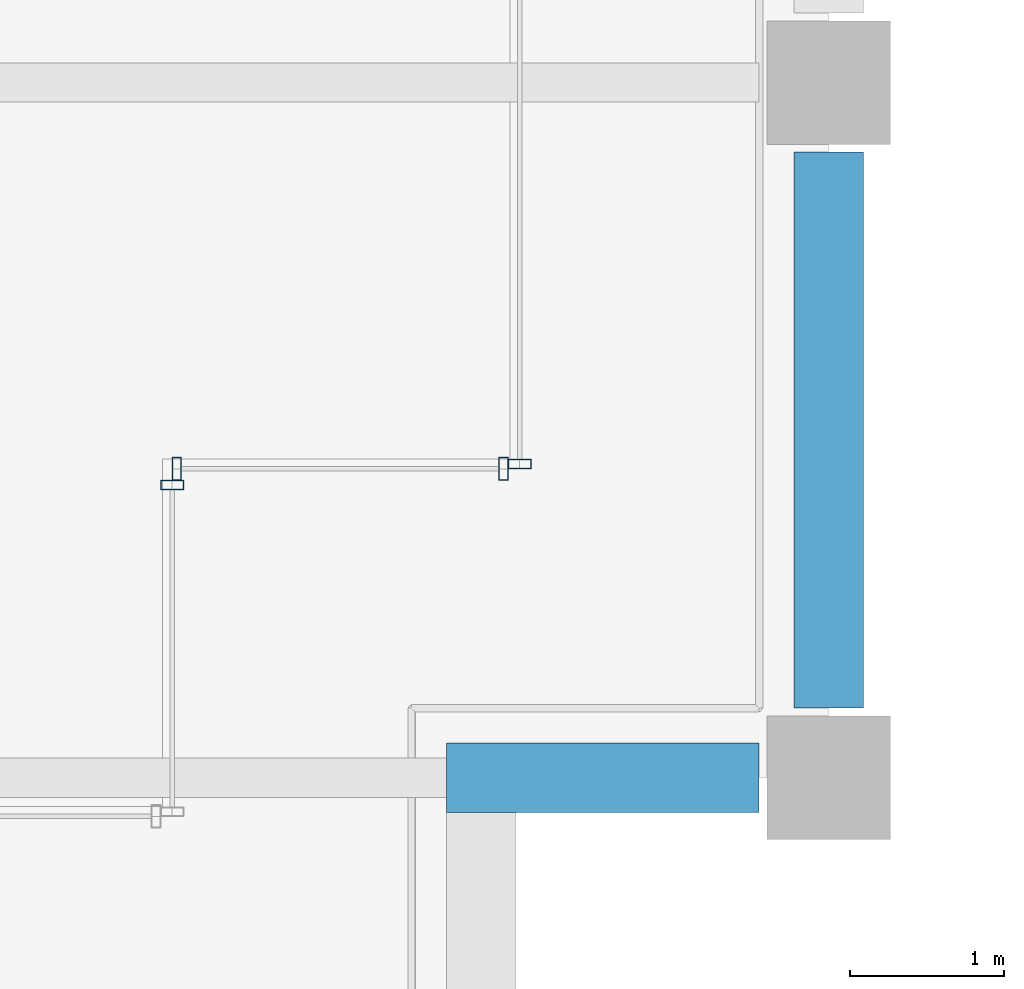
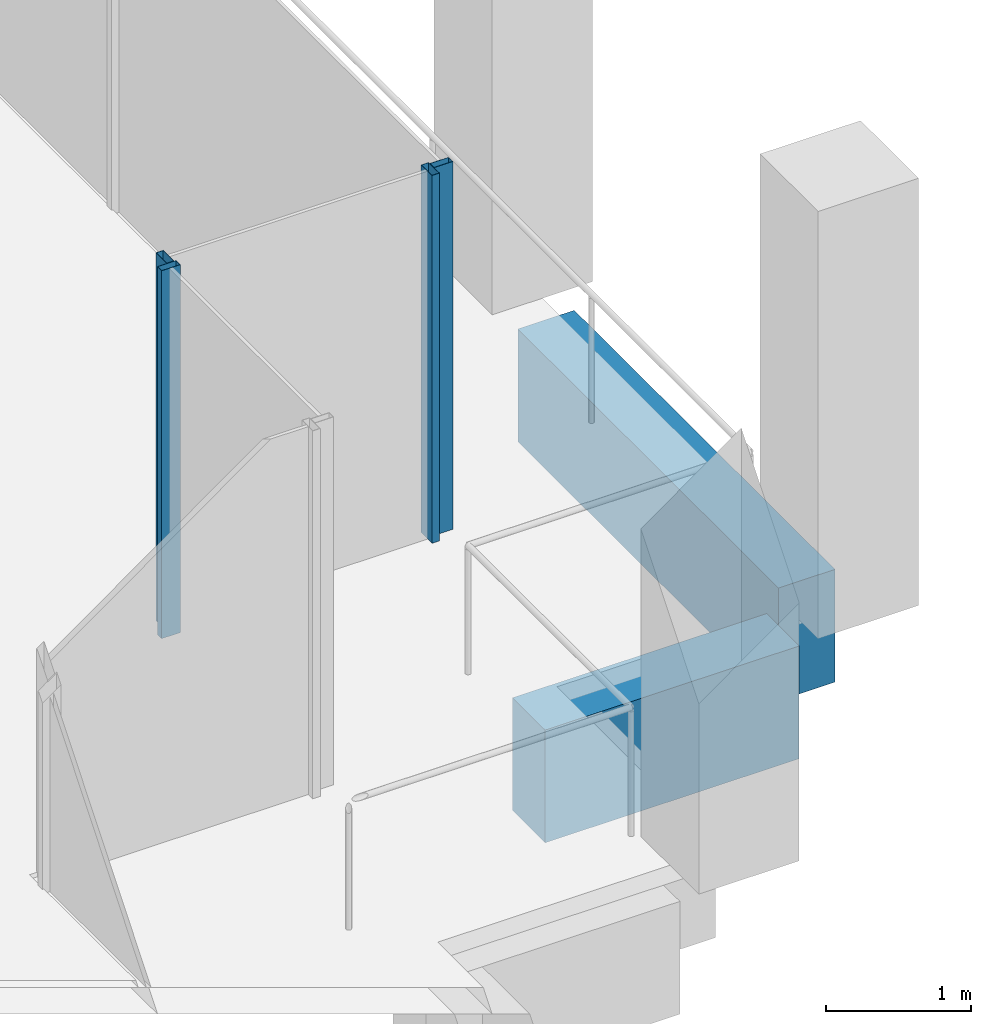
# One storey, part 13 of 40: 4 members, 2 beams, 3 elements without a shape of their own.
"""IFC4 building model written with IfcOpenShell, lengths in metres."""

import ifcopenshell
import ifcopenshell.guid

model = None  # the IFC model being written
_history = None  # IfcOwnerHistory: only IFC2X3 demands one
_inside = {}  # id of a spatial element -> (the spatial element, [elements in it])
_under = {}  # id of a project, library or spatial element -> (it, [spatial elements below it])
_declared = {}  # id of a project -> (the project, [libraries it declares])
_typed = {}  # id of a type object -> (the type object, [elements of that type])
_made_of = {}  # id of a material, layer set ... -> (it, [elements and type objects made of it])


def new_model(schema):
    """Start an empty IFC model of exactly this schema.

    Asked for "IFC4X3", IfcOpenShell would pick the latest addendum, in which some entities
    have other attributes; the version numbers below select the first issue.
    IFC2X3 requires an IfcOwnerHistory on every rooted entity: one is made here for all.
    """
    global model, _history
    if schema == "IFC4X3":
        model = ifcopenshell.file(schema_version=(4, 3, 0, 0))
    else:
        model = ifcopenshell.file(schema=schema)
    _inside.clear()
    _under.clear()
    _declared.clear()
    _typed.clear()
    _made_of.clear()
    _history = None
    if model.schema == "IFC2X3":
        org = make("IfcOrganization", Name="unknown")
        user = make(
            "IfcPersonAndOrganization",
            ThePerson=make("IfcPerson", FamilyName="unknown"),
            TheOrganization=org,
        )
        app = make(
            "IfcApplication",
            ApplicationDeveloper=org,
            Version="unknown",
            ApplicationFullName="unknown",
            ApplicationIdentifier="unknown",
        )
        _history = make(
            "IfcOwnerHistory",
            OwningUser=user,
            OwningApplication=app,
            ChangeAction="ADDED",
            CreationDate=0,
        )
    return model


def make(cls, **values):
    """One entity of the class cls with the attributes given. An attribute that is None is left unset."""
    return model.create_entity(
        cls, **{name: value for name, value in values.items() if value is not None}
    )


def rooted(cls, **values):
    """An entity with a GlobalId (a new one), such as an element, a storey or a relation."""
    return make(cls, GlobalId=ifcopenshell.guid.new(), OwnerHistory=_history, **values)


def si_unit(unit_type, name, prefix=None):
    """IfcSIUnit, for example si_unit("LENGTHUNIT", "METRE", prefix="MILLI")."""
    return make("IfcSIUnit", UnitType=unit_type, Prefix=prefix, Name=name)


def assignment(units):
    """IfcUnitAssignment: the units of a project."""
    return None if units is None else make("IfcUnitAssignment", Units=units)


def point(xyz):
    """IfcCartesianPoint."""
    return None if xyz is None else make("IfcCartesianPoint", Coordinates=xyz)


def direction(xyz):
    """IfcDirection."""
    return None if xyz is None else make("IfcDirection", DirectionRatios=xyz)


def frame(location, z_axis=None, x_axis=None):
    """IfcAxis2Placement3D, a coordinate frame: its origin and axes. An axis left out is left unset."""
    return make(
        "IfcAxis2Placement3D",
        Location=point(location),
        Axis=direction(z_axis),
        RefDirection=direction(x_axis),
    )


def frame_2d(location, x_axis=None):
    """IfcAxis2Placement2D, a coordinate frame in the plane: its origin and x axis."""
    return make(
        "IfcAxis2Placement2D", Location=point(location), RefDirection=direction(x_axis)
    )


def origin():
    """The frame at (0, 0, 0) with its axes left unset."""
    return frame((0.0, 0.0, 0.0))


def origin_2d():
    """The frame at (0, 0) in the plane with its x axis left unset."""
    return frame_2d((0.0, 0.0))


def place(relative_to, where):
    """IfcLocalPlacement: puts the frame where relative to a parent placement (None: the world)."""
    return make(
        "IfcLocalPlacement", PlacementRelTo=relative_to, RelativePlacement=where
    )


def context(
    kind, dimensions, precision=None, world=None, true_north=None, identifier=None
):
    """IfcGeometricRepresentationContext, for example the 3D "Model" context."""
    return make(
        "IfcGeometricRepresentationContext",
        ContextIdentifier=identifier,
        ContextType=kind,
        CoordinateSpaceDimension=dimensions,
        Precision=precision,
        WorldCoordinateSystem=world,
        TrueNorth=true_north,
    )


def subcontext(parent, identifier, kind, view, scale=None):
    """IfcGeometricRepresentationSubContext, for example "Body" below "Model"."""
    return make(
        "IfcGeometricRepresentationSubContext",
        ContextIdentifier=identifier,
        ContextType=kind,
        ParentContext=parent,
        TargetScale=scale,
        TargetView=view,
    )


def project(units=None, contexts=None):
    """IfcProject with its units and contexts."""
    return rooted(
        "IfcProject",
        Name="project",
        RepresentationContexts=contexts,
        UnitsInContext=assignment(units),
    )


def spatial(cls, under=None, at=None, **own):
    """A site, building, storey or space (cls), placed at a placement, below another one or the project."""
    s = rooted(cls, ObjectPlacement=at, **own)
    if under is not None:
        _under.setdefault(under.id(), (under, []))[1].append(s)
    return s


def profile(cls, at=None, kind="AREA", **sizes):
    """A parametric profile (cls). Its sizes go by their IFC names, for example OverallWidth=200.0."""
    return make(cls, ProfileType=kind, Position=at, **sizes)


def rectangle(**sizes):
    """IfcRectangleProfileDef."""
    return profile("IfcRectangleProfileDef", **sizes)


def hollow_rectangle(**sizes):
    """IfcRectangleHollowProfileDef."""
    return profile("IfcRectangleHollowProfileDef", **sizes)


def extrude(swept, where, along, depth):
    """IfcExtrudedAreaSolid: the profile swept, set in the frame where, extruded along a direction by depth."""
    return make(
        "IfcExtrudedAreaSolid",
        SweptArea=swept,
        Position=where,
        ExtrudedDirection=direction(along),
        Depth=depth,
    )


def shape(context_of_items, identifier, shape_type, items):
    """IfcShapeRepresentation: the items that make up one representation, for example the "Body"."""
    return make(
        "IfcShapeRepresentation",
        ContextOfItems=context_of_items,
        RepresentationIdentifier=identifier,
        RepresentationType=shape_type,
        Items=items,
    )


def material(Name=None, Category=None):
    """IfcMaterial."""
    return make("IfcMaterial", Name=Name, Category=Category)


def material_profile(
    of_material, cross_section, Name=None, Category=None, Priority=None
):
    """IfcMaterialProfile: a cross section and its material."""
    return make(
        "IfcMaterialProfile",
        Name=Name,
        Material=of_material,
        Profile=cross_section,
        Priority=Priority,
        Category=Category,
    )


def profile_set(profiles, Name=None, composite=None):
    """IfcMaterialProfileSet."""
    return make(
        "IfcMaterialProfileSet",
        Name=Name,
        MaterialProfiles=profiles,
        CompositeProfile=composite,
    )


def made_of(thing, what):
    """Note that an element or type object is made of a material, layer set ...; save() writes the relation."""
    if what is not None:
        _made_of.setdefault(what.id(), (what, []))[1].append(thing)
    return thing


def type_object(cls, material=None, **own):
    """A type object (cls), such as IfcWallType, which elements share."""
    return made_of(rooted(cls, **own), material)


def element(
    cls,
    number,
    at=None,
    inside=None,
    cuts=None,
    type_object=None,
    material=None,
    context=None,
    identifier="Body",
    shape_type=None,
    held_by="IfcProductDefinitionShape",
    body=None,
    shapes=None,
    **own,
):
    """One element of the class cls, such as IfcWall. Its Tag is "e" and its number.

    at: its placement. inside: the storey or other place that contains it. cuts: it is an
    opening in that element (IfcRelVoidsElement). A single representation is given by context,
    identifier, shape_type and body (its items); several are given by shapes. held_by: the class
    of the entity that holds the representations. save() writes the other relations.
    """
    e = rooted(cls, Tag="e%d" % number, ObjectPlacement=at, **own)
    if body is not None:
        shapes = [shape(context, identifier, shape_type, body)]
    if shapes is not None:
        e.Representation = make(held_by, Representations=shapes)
    if inside is not None:
        _inside.setdefault(inside.id(), (inside, []))[1].append(e)
    if cuts is not None:
        rooted(
            "IfcRelVoidsElement", RelatingBuildingElement=cuts, RelatedOpeningElement=e
        )
    if type_object is not None:
        _typed.setdefault(type_object.id(), (type_object, []))[1].append(e)
    return made_of(e, material)


def aggregate(whole, parts):
    """IfcRelAggregates: a whole, such as a stair, and the parts it consists of."""
    return rooted("IfcRelAggregates", RelatingObject=whole, RelatedObjects=parts)


def save(model, path):
    """Write the relations noted so far, then the file.

    IfcRelAggregates (storeys below a building ...), IfcRelContainedInSpatialStructure (elements
    in a storey), IfcRelDefinesByType, IfcRelAssociatesMaterial and IfcRelDeclares: one each for
    every whole, place, type object, material and project.
    """
    for whole, parts in _under.values():
        aggregate(whole, parts)
    for where, things in _inside.values():
        rooted(
            "IfcRelContainedInSpatialStructure",
            RelatedElements=things,
            RelatingStructure=where,
        )
    for kind, things in _typed.values():
        rooted("IfcRelDefinesByType", RelatedObjects=things, RelatingType=kind)
    for what, things in _made_of.values():
        rooted("IfcRelAssociatesMaterial", RelatedObjects=things, RelatingMaterial=what)
    for by, libraries in _declared.values():
        rooted("IfcRelDeclares", RelatingContext=by, RelatedDefinitions=libraries)
    model.write(path)


model = new_model("IFC4")

# Units and contexts
model_context = context("Model", 3, precision=1e-05, world=origin(), true_north=direction((0.0, 1.0)))
body_context = subcontext(model_context, "Body", "Model", "MODEL_VIEW")
ifc_project = project(units=[si_unit("LENGTHUNIT", "METRE"), si_unit("AREAUNIT", "SQUARE_METRE"), si_unit("VOLUMEUNIT", "CUBIC_METRE"), si_unit("PLANEANGLEUNIT", "RADIAN"), si_unit("MASSUNIT", "GRAM", prefix="KILO")], contexts=[model_context])

# Site, building, storey
site_placement = place(None, origin())
site = spatial("IfcSite", under=ifc_project, at=site_placement, CompositionType="ELEMENT")
building_placement = place(site_placement, origin())
building = spatial("IfcBuilding", under=site, at=building_placement, Name="Altepetl Exchange Towers", CompositionType="ELEMENT")
storey_placement = place(building_placement, frame((0.0, 0.0, 195.60009765625)))
storey = spatial("IfcBuildingStorey", under=building, at=storey_placement, Name="L49", CompositionType="ELEMENT", Elevation=195.60009765625)

# Curtain wall, member
ifc_material_1 = material(Name="Aluminium 6063-T6 glazing", Category="aluminium")
curtain_wall_type = type_object("IfcCurtainWallType", Name="Loggia glazing system", PredefinedType="NOTDEFINED", material=ifc_material_1)
curtain_wall_1_placement = place(storey_placement, origin())
curtain_wall_1 = element("IfcCurtainWall", 1, at=curtain_wall_1_placement, inside=storey, type_object=curtain_wall_type, Name="CW1 run", PredefinedType="NOTDEFINED")
ifc_material_2 = material(Name="Aluminium 6063-T6", Category="aluminium")
ifc_material_profile_1 = material_profile(ifc_material_2, hollow_rectangle(XDim=0.06005859375, YDim=0.14990234375, WallThickness=0.0029296875, at=origin_2d()), Name="Mullion 60x150 aluminium")
ifc_profile_set_1 = profile_set([ifc_material_profile_1], Name="Aluminium 6063-T6")
member_type = type_object("IfcMemberType", Name="Mullion 60x150 aluminium", PredefinedType="MULLION", material=ifc_profile_set_1)
member_1_placement = place(storey_placement, frame((67.75, 33.39501953125, 0.0), z_axis=(0.0, 0.0, 1.0), x_axis=(0.0, 1.0, 0.0)))
member_1 = element("IfcMember", 2, at=member_1_placement, type_object=member_type, Name="MU1 mullion", PredefinedType="MULLION", context=body_context, shape_type="SweptSolid", body=[
    extrude(hollow_rectangle(XDim=0.06005859375, YDim=0.14990234375, WallThickness=0.0029296875, at=origin_2d()), origin(), (0.0, 0.0, 1.0), 3.099853515625),
])
aggregate(curtain_wall_1, [member_1])

# Curtain wall, members
curtain_wall_2_placement = place(storey_placement, origin())
curtain_wall_2 = element("IfcCurtainWall", 3, at=curtain_wall_2_placement, inside=storey, type_object=curtain_wall_type, Name="CW1 run", PredefinedType="NOTDEFINED")
member_2_placement = place(storey_placement, frame((67.780029296875, 33.5, 0.0)))
member_2 = element("IfcMember", 4, at=member_2_placement, type_object=member_type, Name="MU1 mullion", PredefinedType="MULLION", context=body_context, shape_type="SweptSolid", body=[
    extrude(hollow_rectangle(XDim=0.06005859375, YDim=0.14990234375, WallThickness=0.0029296875, at=origin_2d()), origin(), (0.0, 0.0, 1.0), 3.099853515625),
])
member_3_placement = place(storey_placement, frame((69.89501953125, 33.5, 0.0)))
member_3 = element("IfcMember", 5, at=member_3_placement, type_object=member_type, Name="MU1 mullion", PredefinedType="MULLION", context=body_context, shape_type="SweptSolid", body=[
    extrude(hollow_rectangle(XDim=0.06005859375, YDim=0.14990234375, WallThickness=0.0029296875, at=origin_2d()), origin(), (0.0, 0.0, 1.0), 3.099853515625),
])
aggregate(curtain_wall_2, [member_2, member_3])

# Curtain wall, member
curtain_wall_3_placement = place(storey_placement, origin())
curtain_wall_3 = element("IfcCurtainWall", 6, at=curtain_wall_3_placement, inside=storey, type_object=curtain_wall_type, Name="CW1 run", PredefinedType="NOTDEFINED")
member_4_placement = place(storey_placement, frame((70.0, 33.530029296875, 0.0), z_axis=(0.0, 0.0, 1.0), x_axis=(0.0, 1.0, 0.0)))
member_4 = element("IfcMember", 7, at=member_4_placement, type_object=member_type, Name="MU1 mullion", PredefinedType="MULLION", context=body_context, shape_type="SweptSolid", body=[
    extrude(hollow_rectangle(XDim=0.06005859375, YDim=0.14990234375, WallThickness=0.0029296875, at=origin_2d()), origin(), (0.0, 0.0, 1.0), 3.099853515625),
])
aggregate(curtain_wall_3, [member_4])

# Beams
ifc_material_3 = material(Name="Concrete C50/60 precast with cantera amarilla facing", Category="concrete")
ifc_material_profile_2 = material_profile(ifc_material_3, rectangle(XDim=0.449951171875, YDim=0.949951171875, at=origin_2d()), Name="450 x 950")
ifc_profile_set_2 = profile_set([ifc_material_profile_2], Name="Concrete C50/60 precast with cantera amarilla facing")
beam_type = type_object("IfcBeamType", Name="Spandrel beam 450x950 cantera amarilla", PredefinedType="SPANDREL", material=ifc_profile_set_2)
beam_1_placement = place(storey_placement, frame((69.52490234375, 31.5, -0.625), z_axis=(1.0, 0.0, 0.0), x_axis=(0.0, 1.0, 0.0)))
element("IfcBeam", 8, at=beam_1_placement, inside=storey, type_object=beam_type, Name="sp:A:L49:011", PredefinedType="SPANDREL", context=body_context, shape_type="SweptSolid", body=[
    extrude(rectangle(XDim=0.449951171875, YDim=0.949951171875, at=origin_2d()), origin(), (0.0, 0.0, 1.0), 2.025146484375),
])
beam_2_placement = place(storey_placement, frame((72.0, 31.949951171875, -0.625), z_axis=(0.0, 1.0, 0.0), x_axis=(-1.0, 0.0, 0.0)))
element("IfcBeam", 9, at=beam_2_placement, inside=storey, type_object=beam_type, Name="sp:A:L49:012", PredefinedType="SPANDREL", context=body_context, shape_type="SweptSolid", body=[
    extrude(rectangle(XDim=0.449951171875, YDim=0.949951171875, at=origin_2d()), origin(), (0.0, 0.0, 1.0), 3.60009765625),
])

save(model, "model.ifc")
